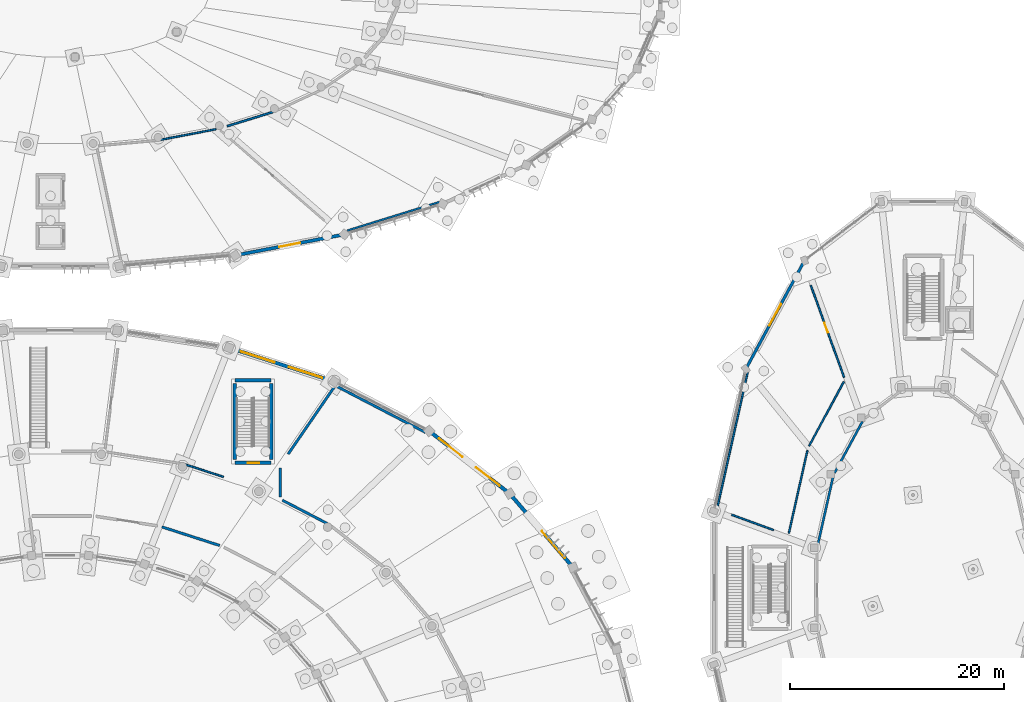
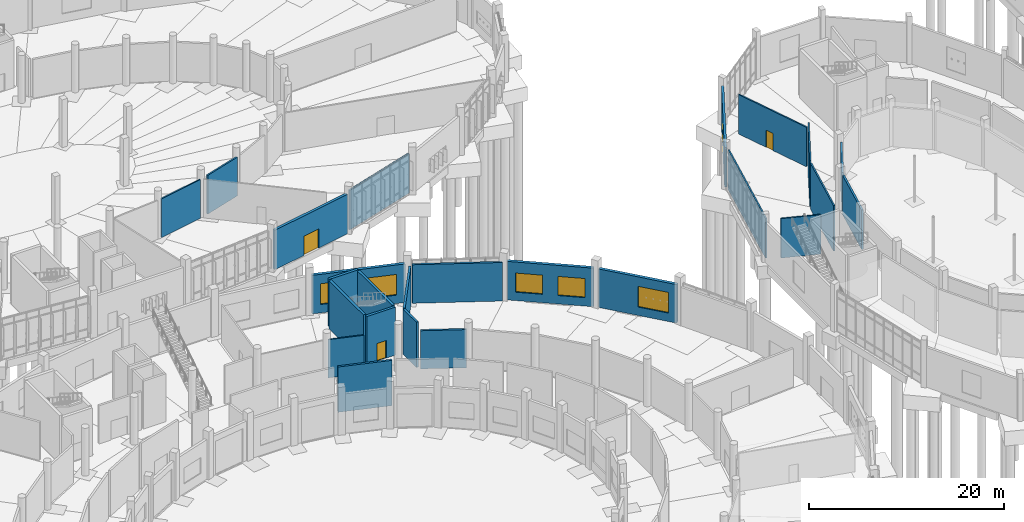
# One storey, part 90 of 140: 25 walls, 6 windows, 3 doors, 9 openings.
"""IFC4 building model written with IfcOpenShell, lengths in metres."""

from ifc_helpers import new_model, si_unit, direction, frame, frame_2d, origin, place, context, subcontext, project, spatial, rectangle, extrude, material, layer, layer_set, type_object, element, fill, save


model = new_model("IFC4")

# Units and contexts
model_context = context("Model", 3, precision=1e-05, world=origin(), true_north=direction((0.0, 1.0)))
body_context = subcontext(model_context, "Body", "Model", "MODEL_VIEW")
ifc_project = project(units=[si_unit("LENGTHUNIT", "METRE"), si_unit("AREAUNIT", "SQUARE_METRE"), si_unit("VOLUMEUNIT", "CUBIC_METRE"), si_unit("PLANEANGLEUNIT", "RADIAN"), si_unit("MASSUNIT", "GRAM", prefix="KILO")], contexts=[model_context])

# Site, building, storey
site_placement = place(None, origin())
site = spatial("IfcSite", under=ifc_project, at=site_placement, CompositionType="ELEMENT")
building_placement = place(site_placement, origin())
building = spatial("IfcBuilding", under=site, at=building_placement, Name="Corvandel Quay Wholesale Market", CompositionType="ELEMENT")
storey_placement = place(building_placement, origin())
storey = spatial("IfcBuildingStorey", under=building, at=storey_placement, Name="L00", CompositionType="ELEMENT", Elevation=0.0)

# Walls
ifc_material_1 = material(Name="Gypsum-clad steel stud framing", Category="steel")
ifc_layer_1 = layer(ifc_material_1, 0.2099609375)
ifc_layer_set_1 = layer_set([ifc_layer_1], Name="Gypsum-clad steel stud framing")
wall_type_1 = type_object("IfcWallType", Name="Corridor Rated Partition PT02 210", PredefinedType="PARTITIONING", material=ifc_layer_set_1)
wall_1_placement = place(storey_placement, frame((184.668212890625, 63.90966796875, 0.0), z_axis=(0.0, 0.0, 1.0), x_axis=(0.218983275202, 0.975728612464, 0.0)))
element("IfcWall", 1, at=wall_1_placement, inside=storey, type_object=wall_type_1, Name="Interior Wall IW-0682", PredefinedType="PARTITIONING", context=body_context, shape_type="SweptSolid", body=[
    extrude(rectangle(XDim=6.546630859375, YDim=0.2099609375, at=frame_2d((3.2734375, 0.0))), origin(), (0.0, 0.0, 1.0), 4.93994140625),
])
wall_2_placement = place(storey_placement, frame((186.2548828125, 70.70556640625, 0.0), z_axis=(0.0, 0.0, 1.0), x_axis=(0.476219723691, 0.879326318705, 0.0)))
element("IfcWall", 2, at=wall_2_placement, inside=storey, type_object=wall_type_1, Name="Interior Wall IW-0683", PredefinedType="PARTITIONING", context=body_context, shape_type="SweptSolid", body=[
    extrude(rectangle(XDim=5.456298828125, YDim=0.2099609375, at=frame_2d((2.72802734375, 0.0))), origin(), (0.0, 0.0, 1.0), 4.93994140625),
])
ifc_material_2 = material(Name="Lightweight concrete blockwork", Category="masonry")
ifc_layer_2 = layer(ifc_material_2, 0.239990234375)
ifc_layer_set_2 = layer_set([ifc_layer_2], Name="Lightweight concrete blockwork")
wall_type_2 = type_object("IfcWallType", Name="Fire Compartment Partition PT01 240", PredefinedType="PARTITIONING", material=ifc_layer_set_2)
wall_3_placement = place(storey_placement, frame((138.914794921875, 65.987548828125, 0.0), z_axis=(0.0, 0.0, 1.0), x_axis=(-0.887267708402, 0.461254825045, 0.0)))
element("IfcWall", 3, at=wall_3_placement, inside=storey, type_object=wall_type_2, Name="Interior Wall IW-0356", PredefinedType="PARTITIONING", context=body_context, shape_type="SweptSolid", body=[
    extrude(rectangle(XDim=4.710693359375, YDim=0.239990234375, at=frame_2d((2.35546875, 0.0))), origin(), (0.0, 0.0, 1.0), 4.780029296875),
])
wall_4_placement = place(storey_placement, frame((134.5400390625, 68.48193359375, 0.0), z_axis=(0.0, 0.0, 1.0), x_axis=(0.0, 1.0, 0.0)))
element("IfcWall", 4, at=wall_4_placement, inside=storey, type_object=wall_type_2, Name="Interior Wall IW-0357", PredefinedType="PARTITIONING", context=body_context, shape_type="SweptSolid", body=[
    extrude(rectangle(XDim=2.692138671875, YDim=0.239990234375, at=frame_2d((1.34619140625, 0.0))), origin(), (0.0, 0.0, 1.0), 5.679931640625),
])
wall_5_placement = place(storey_placement, frame((135.274658203125, 72.462646484375, 0.0), z_axis=(0.0, 0.0, 1.0), x_axis=(0.566458731366, 0.824090107731, 0.0)))
element("IfcWall", 5, at=wall_5_placement, inside=storey, type_object=wall_type_2, Name="Interior Wall IW-0358", PredefinedType="PARTITIONING", context=body_context, shape_type="SweptSolid", body=[
    extrude(rectangle(XDim=7.539306640625, YDim=0.239990234375, at=frame_2d((3.76953125, 0.0))), origin(), (0.0, 0.0, 1.0), 4.780029296875),
])
wall_6_placement = place(storey_placement, frame((139.865234375, 78.755615234375, 0.0), z_axis=(0.0, 0.0, 1.0), x_axis=(0.887320457096, -0.461153343715, 0.0)))
element("IfcWall", 6, at=wall_6_placement, inside=storey, type_object=wall_type_2, Name="Interior Wall IW-0359", PredefinedType="PARTITIONING", context=body_context, shape_type="SweptSolid", body=[
    extrude(rectangle(XDim=9.253173828125, YDim=0.239990234375, at=frame_2d((4.62646484375, 0.0))), origin(), (0.0, 0.0, 1.0), 4.830078125),
])
wall_7_placement = place(storey_placement, frame((123.509521484375, 65.66845703125, 0.0), z_axis=(0.0, 0.0, 1.0), x_axis=(0.951827438235, -0.306634192193, 0.0)))
element("IfcWall", 7, at=wall_7_placement, inside=storey, type_object=wall_type_2, Name="Interior Wall IW-0409", PredefinedType="PARTITIONING", context=body_context, shape_type="SweptSolid", body=[
    extrude(rectangle(XDim=5.6513671875, YDim=0.239990234375, at=frame_2d((2.82568359375, 0.0))), origin(), (0.0, 0.0, 1.0), 5.679931640625),
])

# Wall, opening, door
ifc_material_3 = material(Name="Marine precast concrete C45/55", Category="concrete")
ifc_layer_3 = layer(ifc_material_3, 0.31005859375)
ifc_layer_set_3 = layer_set([ifc_layer_3], Name="Marine precast concrete C45/55")
wall_type_3 = type_object("IfcWallType", Name="Fish Hall Marine Precast Wall EW06 310", PredefinedType="SOLIDWALL", material=ifc_layer_set_3)
wall_8_placement = place(storey_placement, frame((130.57080078125, 91.044189453125, 0.0), z_axis=(0.0, 0.0, 1.0), x_axis=(0.981997121081, 0.188895881873, 0.0)))
wall_8 = element("IfcWall", 8, at=wall_8_placement, inside=storey, type_object=wall_type_3, Name="Exterior Wall EW-0142", PredefinedType="SOLIDWALL", context=body_context, shape_type="SweptSolid", body=[
    extrude(rectangle(XDim=9.897705078125, YDim=0.31005859375, at=frame_2d((4.94873046875, 0.0))), origin(), (0.0, 0.0, 1.0), 4.949951171875),
])
opening_1_placement = place(wall_8_placement, frame((3.948974609375, 0.0, 0.0)))
opening_1 = element("IfcOpeningElement", 9, at=opening_1_placement, cuts=wall_8, Name="Opening L00-D021", PredefinedType="OPENING", context=body_context, shape_type="SweptSolid", body=[
    extrude(rectangle(XDim=2.0, YDim=2.39990234375, at=frame_2d((1.0, 1.199951171875))), frame((0.0, 0.1650390625, 0.0), z_axis=(0.0, -1.0, 0.0), x_axis=(1.0, 0.0, 0.0)), (0.0, 0.0, 1.0), 0.330078125),
])
ifc_material_4 = material(Name="Bronze anodised aluminium and laminated glass", Category="aluminium")
door_type_1 = type_object("IfcDoorType", Name="Concourse Double Exit Door ED02 2000x2400", OperationType="DOUBLE_DOOR_SINGLE_SWING", PredefinedType="DOOR", material=ifc_material_4)
door_1_placement = place(opening_1_placement, origin())
door_1 = element("IfcDoor", 10, at=door_1_placement, inside=storey, type_object=door_type_1, Name="Main Pedestrian Exit V2-25", OperationType="DOUBLE_DOOR_SINGLE_SWING", OverallHeight=2.39990234375, OverallWidth=2.0, PredefinedType="DOOR", context=body_context, shape_type="SweptSolid", body=[
    extrude(rectangle(XDim=2.0, YDim=2.39990234375, at=frame_2d((1.0, 1.199951171875))), frame((0.0, 0.02490234375, 0.0), z_axis=(0.0, -1.0, 0.0), x_axis=(1.0, 0.0, 0.0)), (0.0, 0.0, 1.0), 0.050048828125),
])
fill(opening_1, door_1)

# Walls
ifc_material_5 = material(Name="FRP-faced cementitious board stud wall")
ifc_layer_4 = layer(ifc_material_5, 0.179931640625)
ifc_layer_set_4 = layer_set([ifc_layer_4], Name="FRP-faced cementitious board stud wall")
wall_type_4 = type_object("IfcWallType", Name="Hygienic Washdown Partition PT05 180", PredefinedType="PARTITIONING", material=ifc_layer_set_4)
wall_9_placement = place(storey_placement, frame((129.588134765625, 103.05224609375, 0.0), z_axis=(0.0, 0.0, 1.0), x_axis=(0.955042299082, 0.296469571734, 0.0)))
element("IfcWall", 11, at=wall_9_placement, inside=storey, type_object=wall_type_4, Name="Interior Wall IW-0602", PredefinedType="PARTITIONING", context=body_context, shape_type="SweptSolid", body=[
    extrude(rectangle(XDim=4.474853515625, YDim=0.179931640625, at=frame_2d((2.2373046875, 0.0))), origin(), (0.0, 0.0, 1.0), 4.85009765625),
])
wall_10_placement = place(storey_placement, frame((149.393798828125, 95.981689453125, 0.0), z_axis=(0.0, 0.0, 1.0), x_axis=(-0.955109137229, -0.296254174623, 0.0)))
element("IfcWall", 12, at=wall_10_placement, inside=storey, type_object=wall_type_4, Name="Interior Wall IW-0607", PredefinedType="PARTITIONING", context=body_context, shape_type="SweptSolid", body=[
    extrude(rectangle(XDim=9.000732421875, YDim=0.179931640625, at=frame_2d((4.50048828125, 0.0))), origin(), (0.0, 0.0, 1.0), 4.949951171875),
])

# Wall, opening, window
ifc_material_6 = material(Name="Terracotta precast concrete C45/55", Category="masonry")
ifc_layer_5 = layer(ifc_material_6, 0.260009765625)
ifc_layer_set_5 = layer_set([ifc_layer_5], Name="Terracotta precast concrete C45/55")
wall_type_5 = type_object("IfcWallType", Name="Pavilion Pilaster Infill Wall EW08 260", PredefinedType="SOLIDWALL", material=ifc_layer_set_5)
wall_11_placement = place(storey_placement, frame((183.34912109375, 90.32568359375, 0.0), z_axis=(0.0, 0.0, 1.0), x_axis=(-0.476243387046, -0.87931350285, 0.0)))
wall_11 = element("IfcWall", 13, at=wall_11_placement, inside=storey, type_object=wall_type_5, Name="Exterior Wall EW-0171", PredefinedType="SOLIDWALL", context=body_context, shape_type="SweptSolid", body=[
    extrude(rectangle(XDim=11.0771484375, YDim=0.260009765625, at=frame_2d((5.53857421875, 0.0))), origin(), (0.0, 0.0, 1.0), 4.989990234375),
])
opening_2_placement = place(wall_11_placement, frame((4.388916015625, 0.0, 0.949951171875)))
opening_2 = element("IfcOpeningElement", 14, at=opening_2_placement, cuts=wall_11, Name="Opening L00-W069", PredefinedType="OPENING", context=body_context, shape_type="SweptSolid", body=[
    extrude(rectangle(XDim=2.300048828125, YDim=2.800048828125, at=frame_2d((1.14990234375, 1.39990234375))), frame((0.0, 0.139892578125, 0.0), z_axis=(0.0, -1.0, 0.0), x_axis=(1.0, 0.0, 0.0)), (0.0, 0.0, 1.0), 0.280029296875),
])
ifc_material_7 = material(Name="Thermally broken bronze anodised aluminium and solar-control low-E double glazing", Category="aluminium")
window_type_1 = type_object("IfcWindowType", Name="Auction Hall Tall Facet Window WN11 2300x2800", PartitioningType="SINGLE_PANEL", PredefinedType="WINDOW", material=ifc_material_7)
window_1_placement = place(opening_2_placement, origin())
window_1 = element("IfcWindow", 15, at=window_1_placement, inside=storey, type_object=window_type_1, Name="Window L00-W069", OverallHeight=2.800048828125, OverallWidth=2.300048828125, PartitioningType="SINGLE_PANEL", PredefinedType="WINDOW", context=body_context, shape_type="SweptSolid", body=[
    extrude(rectangle(XDim=2.300048828125, YDim=2.800048828125, at=frame_2d((1.14990234375, 1.39990234375))), frame((0.0, 0.030029296875, 0.0), z_axis=(0.0, -1.0, 0.0), x_axis=(1.0, 0.0, 0.0)), (0.0, 0.0, 1.0), 0.06005859375),
])
fill(opening_2, window_1)

# Walls
ifc_material_8 = material(Name="Moisture-resistant tile-backer partition")
ifc_layer_6 = layer(ifc_material_8, 0.159912109375)
ifc_layer_set_6 = layer_set([ifc_layer_6], Name="Moisture-resistant tile-backer partition")
wall_type_6 = type_object("IfcWallType", Name="Sanitary Tile Partition PT06 160", PredefinedType="PARTITIONING", material=ifc_layer_set_6)
wall_12_placement = place(storey_placement, frame((129.25048828125, 70.33935546875, 0.0), z_axis=(0.0, 0.0, 1.0), x_axis=(-0.951853130874, 0.306554427868, 0.0)))
element("IfcWall", 16, at=wall_12_placement, inside=storey, type_object=wall_type_6, Name="Interior Wall IW-0363", PredefinedType="PARTITIONING", context=body_context, shape_type="SweptSolid", body=[
    extrude(rectangle(XDim=3.739013671875, YDim=0.159912109375, at=frame_2d((1.86962890625, 0.0))), origin(), (0.0, 0.0, 1.0), 4.780029296875),
])
wall_13_placement = place(storey_placement, frame((123.389892578125, 101.782470703125, 0.0), z_axis=(0.0, 0.0, 1.0), x_axis=(0.982037171606, 0.188687555456, 0.0)))
element("IfcWall", 17, at=wall_13_placement, inside=storey, type_object=wall_type_6, Name="Interior Wall IW-0598", PredefinedType="PARTITIONING", context=body_context, shape_type="SweptSolid", body=[
    extrude(rectangle(XDim=5.268798828125, YDim=0.159912109375, at=frame_2d((2.63427734375, 0.0))), origin(), (0.0, 0.0, 1.0), 4.85009765625),
])
wall_14_placement = place(storey_placement, frame((175.328125, 67.52880859375, 0.0), z_axis=(0.0, 0.0, 1.0), x_axis=(0.218979767528, 0.975729399687, 0.0)))
element("IfcWall", 18, at=wall_14_placement, inside=storey, type_object=wall_type_6, Name="Interior Wall IW-0696", PredefinedType="PARTITIONING", context=body_context, shape_type="SweptSolid", body=[
    extrude(rectangle(XDim=12.8759765625, YDim=0.159912109375, at=frame_2d((6.43798828125, 0.0))), origin(), (0.0, 0.0, 1.0), 4.989990234375),
])

# Wall, opening, door
wall_15_placement = place(storey_placement, frame((184.0361328125, 88.2041015625, 0.0), z_axis=(0.0, 0.0, 1.0), x_axis=(0.340331120572, -0.940305656885, 0.0)))
wall_15 = element("IfcWall", 19, at=wall_15_placement, inside=storey, type_object=wall_type_6, Name="Interior Wall IW-0697", PredefinedType="PARTITIONING", context=body_context, shape_type="SweptSolid", body=[
    extrude(rectangle(XDim=9.1376953125, YDim=0.159912109375, at=frame_2d((4.56884765625, 0.0))), origin(), (0.0, 0.0, 1.0), 4.93994140625),
])
opening_3_placement = place(wall_15_placement, frame((3.718994140625, 0.0, 0.0)))
opening_3 = element("IfcOpeningElement", 20, at=opening_3_placement, cuts=wall_15, Name="Opening L00-D107", PredefinedType="OPENING", context=body_context, shape_type="SweptSolid", body=[
    extrude(rectangle(XDim=0.949951171875, YDim=2.14990234375, at=frame_2d((0.47509765625, 1.074951171875))), frame((0.0, 0.08984375, 0.0), z_axis=(0.0, -1.0, 0.0), x_axis=(1.0, 0.0, 0.0)), (0.0, 0.0, 1.0), 0.179931640625),
])
ifc_material_9 = material(Name="Moisture-resistant HPL solid core")
door_type_2 = type_object("IfcDoorType", Name="Accessible Restroom Door ID14 950x2150R", OperationType="SINGLE_SWING_RIGHT", PredefinedType="DOOR", material=ifc_material_9)
door_2_placement = place(opening_3_placement, origin())
door_2 = element("IfcDoor", 21, at=door_2_placement, inside=storey, type_object=door_type_2, Name="Public Accessible Toilet and Restroom V3 Door", OperationType="SINGLE_SWING_RIGHT", OverallHeight=2.14990234375, OverallWidth=0.949951171875, PredefinedType="DOOR", context=body_context, shape_type="SweptSolid", body=[
    extrude(rectangle(XDim=0.949951171875, YDim=2.14990234375, at=frame_2d((0.47509765625, 1.074951171875))), frame((0.0, 0.02490234375, 0.0), z_axis=(0.0, -1.0, 0.0), x_axis=(1.0, 0.0, 0.0)), (0.0, 0.0, 1.0), 0.050048828125),
])
fill(opening_3, door_2)

# Walls
wall_16_placement = place(storey_placement, frame((187.1162109375, 79.21142578125, 0.0), z_axis=(0.0, 0.0, 1.0), x_axis=(-0.475826771509, -0.87953901762, 0.0)))
element("IfcWall", 22, at=wall_16_placement, inside=storey, type_object=wall_type_6, Name="Interior Wall IW-0698", PredefinedType="PARTITIONING", context=body_context, shape_type="SweptSolid", body=[
    extrude(rectangle(XDim=6.80810546875, YDim=0.159912109375, at=frame_2d((3.404052734375, 0.0))), origin(), (0.0, 0.0, 1.0), 5.739990234375),
])
wall_17_placement = place(storey_placement, frame((183.723876953125, 72.815185546875, 0.0), z_axis=(0.0, 0.0, 1.0), x_axis=(-0.219151477766, -0.975690847448, 0.0)))
element("IfcWall", 23, at=wall_17_placement, inside=storey, type_object=wall_type_6, Name="Interior Wall IW-0699", PredefinedType="PARTITIONING", context=body_context, shape_type="SweptSolid", body=[
    extrude(rectangle(XDim=7.924072265625, YDim=0.159912109375, at=frame_2d((3.9619140625, 0.0))), origin(), (0.0, 0.0, 1.0), 5.739990234375),
])
wall_18_placement = place(storey_placement, frame((180.55859375, 65.375732421875, 0.0), z_axis=(0.0, 0.0, 1.0), x_axis=(-0.93871359079, 0.344698120775, 0.0)))
element("IfcWall", 24, at=wall_18_placement, inside=storey, type_object=wall_type_6, Name="Interior Wall IW-0700", PredefinedType="PARTITIONING", context=body_context, shape_type="SweptSolid", body=[
    extrude(rectangle(XDim=4.15673828125, YDim=0.159912109375, at=frame_2d((2.078369140625, 0.0))), origin(), (0.0, 0.0, 1.0), 4.93994140625),
])

# Wall, opening, door
ifc_material_10 = material(Name="Concrete C40/50", Category="concrete")
ifc_layer_7 = layer(ifc_material_10, 0.300048828125)
ifc_layer_set_7 = layer_set([ifc_layer_7], Name="Concrete C40/50")
wall_type_7 = type_object("IfcWallType", Name="Stair Shaft Shear Wall SW02 300", PredefinedType="SHEAR", material=ifc_layer_set_7)
wall_19_placement = place(storey_placement, frame((130.300048828125, 71.64990234375, 0.0), z_axis=(0.0, 0.0, 1.0), x_axis=(1.0, 0.0, 0.0)))
wall_19 = element("IfcWall", 25, at=wall_19_placement, inside=storey, type_object=wall_type_7, Name="Shear Wall IW-0013", PredefinedType="SHEAR", context=body_context, shape_type="SweptSolid", body=[
    extrude(rectangle(XDim=3.39990234375, YDim=0.300048828125, at=frame_2d((1.699951171875, 0.0))), origin(), (0.0, 0.0, 1.0), 6.0),
])
opening_4_placement = place(wall_19_placement, frame((1.199951171875, 0.0, 0.0)))
opening_4 = element("IfcOpeningElement", 26, at=opening_4_placement, cuts=wall_19, Name="Opening L00-D057", PredefinedType="OPENING", context=body_context, shape_type="SweptSolid", body=[
    extrude(rectangle(XDim=1.10009765625, YDim=2.199951171875, at=frame_2d((0.550048828125, 1.10009765625))), frame((0.0, 0.159912109375, 0.0), z_axis=(0.0, -1.0, 0.0), x_axis=(1.0, 0.0, 0.0)), (0.0, 0.0, 1.0), 0.320068359375),
])
ifc_material_11 = material(Name="Galvanised fire-rated hollow steel", Category="steel")
door_type_3 = type_object("IfcDoorType", Name="Exit Stair Fire Door ID02 1100x2200R", OperationType="SINGLE_SWING_RIGHT", PredefinedType="DOOR", material=ifc_material_11)
door_3_placement = place(opening_4_placement, origin())
door_3 = element("IfcDoor", 27, at=door_3_placement, inside=storey, type_object=door_type_3, Name="Exit Stair Door SH02-L00", OperationType="SINGLE_SWING_RIGHT", OverallHeight=2.199951171875, OverallWidth=1.10009765625, PredefinedType="DOOR", context=body_context, shape_type="SweptSolid", body=[
    extrude(rectangle(XDim=1.10009765625, YDim=2.199951171875, at=frame_2d((0.550048828125, 1.10009765625))), frame((0.0, 0.02490234375, 0.0), z_axis=(0.0, -1.0, 0.0), x_axis=(1.0, 0.0, 0.0)), (0.0, 0.0, 1.0), 0.050048828125),
])
fill(opening_4, door_3)

# Walls
wall_20_placement = place(storey_placement, frame((130.300048828125, 79.35009765625, 0.0), z_axis=(0.0, 0.0, 1.0), x_axis=(1.0, 0.0, 0.0)))
element("IfcWall", 28, at=wall_20_placement, inside=storey, type_object=wall_type_7, Name="Shear Wall IW-0014", PredefinedType="SHEAR", context=body_context, shape_type="SweptSolid", body=[
    extrude(rectangle(XDim=3.39990234375, YDim=0.300048828125, at=frame_2d((1.699951171875, 0.0))), origin(), (0.0, 0.0, 1.0), 6.0),
])
for number, where, z_axis, x_axis, name in (
    (29, (130.300048828125, 71.93994140625, 0.0), (0.0, 0.0, 1.0), (0.0, 1.0, 0.0), "Shear Wall IW-0015"),
    (30, (133.699951171875, 71.93994140625, 0.0), (0.0, 0.0, 1.0), (0.0, 1.0, 0.0), "Shear Wall IW-0016"),
):
    element("IfcWall", number, at=place(storey_placement, frame(where, z_axis=z_axis, x_axis=x_axis)), inside=storey, type_object=wall_type_7, Name=name, PredefinedType="SHEAR", context=body_context, shape_type="SweptSolid", body=[
        extrude(rectangle(XDim=7.1201171875, YDim=0.300048828125, at=frame_2d((3.56005859375, 0.0))), origin(), (0.0, 0.0, 1.0), 6.0),
    ])

# Wall, opening, window
ifc_layer_8 = layer(ifc_material_6, 0.340087890625)
ifc_layer_set_8 = layer_set([ifc_layer_8], Name="Terracotta precast concrete C45/55")
wall_type_8 = type_object("IfcWallType", Name="Terracotta Ribbed Precast Wall EW01 340", PredefinedType="SOLIDWALL", material=ifc_layer_set_8)
wall_21_placement = place(storey_placement, frame((161.677978515625, 62.098876953125, 0.0), z_axis=(0.0, 0.0, 1.0), x_axis=(-0.651606697641, 0.758556992974, 0.0)))
wall_21 = element("IfcWall", 31, at=wall_21_placement, inside=storey, type_object=wall_type_8, Name="Exterior Wall EW-0006", PredefinedType="SOLIDWALL", context=body_context, shape_type="SweptSolid", body=[
    extrude(rectangle(XDim=8.5283203125, YDim=0.340087890625, at=frame_2d((4.26416015625, 0.0))), origin(), (0.0, 0.0, 1.0), 4.830078125),
])
opening_5_placement = place(wall_21_placement, frame((0.89990234375, 0.0, 1.050048828125)))
opening_5 = element("IfcOpeningElement", 32, at=opening_5_placement, cuts=wall_21, Name="Opening L00-W003", PredefinedType="OPENING", context=body_context, shape_type="SweptSolid", body=[
    extrude(rectangle(XDim=3.300048828125, YDim=2.60009765625, at=frame_2d((1.64990234375, 1.300048828125))), frame((0.0, 0.179931640625, 0.0), z_axis=(0.0, -1.0, 0.0), x_axis=(1.0, 0.0, 0.0)), (0.0, 0.0, 1.0), 0.360107421875),
])
window_type_2 = type_object("IfcWindowType", Name="South Promenade Display Window WN26 3300x2600", PartitioningType="SINGLE_PANEL", PredefinedType="WINDOW", material=ifc_material_7)
window_2_placement = place(opening_5_placement, origin())
window_2 = element("IfcWindow", 33, at=window_2_placement, inside=storey, type_object=window_type_2, Name="Window L00-W003", OverallHeight=2.60009765625, OverallWidth=3.300048828125, PartitioningType="SINGLE_PANEL", PredefinedType="WINDOW", context=body_context, shape_type="SweptSolid", body=[
    extrude(rectangle(XDim=3.300048828125, YDim=2.60009765625, at=frame_2d((1.64990234375, 1.300048828125))), frame((0.0, 0.030029296875, 0.0), z_axis=(0.0, -1.0, 0.0), x_axis=(1.0, 0.0, 0.0)), (0.0, 0.0, 1.0), 0.06005859375),
])
fill(opening_5, window_2)

# Wall, openings, windows
wall_22_placement = place(storey_placement, frame((155.73193359375, 68.938720703125, 0.0), z_axis=(0.0, 0.0, 1.0), x_axis=(-0.789327357341, 0.613972575082, 0.0)))
wall_22 = element("IfcWall", 34, at=wall_22_placement, inside=storey, type_object=wall_type_8, Name="Exterior Wall EW-0009", PredefinedType="SOLIDWALL", context=body_context, shape_type="SweptSolid", body=[
    extrude(rectangle(XDim=8.98974609375, YDim=0.340087890625, at=frame_2d((4.494873046875, 0.0))), origin(), (0.0, 0.0, 1.0), 4.830078125),
])
opening_6_placement = place(wall_22_placement, frame((0.89990234375, 0.0, 1.050048828125)))
opening_6 = element("IfcOpeningElement", 35, at=opening_6_placement, cuts=wall_22, Name="Opening L00-W005", PredefinedType="OPENING", context=body_context, shape_type="SweptSolid", body=[
    extrude(rectangle(XDim=2.800048828125, YDim=2.39990234375, at=frame_2d((1.39990234375, 1.199951171875))), frame((0.0, 0.179931640625, 0.0), z_axis=(0.0, -1.0, 0.0), x_axis=(1.0, 0.0, 0.0)), (0.0, 0.0, 1.0), 0.360107421875),
])
opening_7_placement = place(wall_22_placement, frame((5.2900390625, 0.0, 1.050048828125)))
opening_7 = element("IfcOpeningElement", 36, at=opening_7_placement, cuts=wall_22, Name="Opening L00-W006", PredefinedType="OPENING", context=body_context, shape_type="SweptSolid", body=[
    extrude(rectangle(XDim=2.800048828125, YDim=2.39990234375, at=frame_2d((1.39990234375, 1.199951171875))), frame((0.0, 0.179931640625, 0.0), z_axis=(0.0, -1.0, 0.0), x_axis=(1.0, 0.0, 0.0)), (0.0, 0.0, 1.0), 0.360107421875),
])
window_type_3 = type_object("IfcWindowType", Name="Produce Hall Arched Ribbon Window WN01 2800x2400", PartitioningType="SINGLE_PANEL", PredefinedType="WINDOW", material=ifc_material_7)
window_3_placement = place(opening_6_placement, origin())
window_3 = element("IfcWindow", 37, at=window_3_placement, inside=storey, type_object=window_type_3, Name="Window L00-W005", OverallHeight=2.39990234375, OverallWidth=2.800048828125, PartitioningType="SINGLE_PANEL", PredefinedType="WINDOW", context=body_context, shape_type="SweptSolid", body=[
    extrude(rectangle(XDim=2.800048828125, YDim=2.39990234375, at=frame_2d((1.39990234375, 1.199951171875))), frame((0.0, 0.030029296875, 0.0), z_axis=(0.0, -1.0, 0.0), x_axis=(1.0, 0.0, 0.0)), (0.0, 0.0, 1.0), 0.06005859375),
])
fill(opening_6, window_3)
window_4_placement = place(opening_7_placement, origin())
window_4 = element("IfcWindow", 38, at=window_4_placement, inside=storey, type_object=window_type_3, Name="Window L00-W006", OverallHeight=2.39990234375, OverallWidth=2.800048828125, PartitioningType="SINGLE_PANEL", PredefinedType="WINDOW", context=body_context, shape_type="SweptSolid", body=[
    extrude(rectangle(XDim=2.800048828125, YDim=2.39990234375, at=frame_2d((1.39990234375, 1.199951171875))), frame((0.0, 0.030029296875, 0.0), z_axis=(0.0, -1.0, 0.0), x_axis=(1.0, 0.0, 0.0)), (0.0, 0.0, 1.0), 0.06005859375),
])
fill(opening_7, window_4)

wall_23_placement = place(storey_placement, frame((139.322021484375, 79.302734375, 0.0), z_axis=(0.0, 0.0, 1.0), x_axis=(-0.95182847269, 0.30663098111, 0.0)))
wall_23 = element("IfcWall", 39, at=wall_23_placement, inside=storey, type_object=wall_type_8, Name="Exterior Wall EW-0014", PredefinedType="SOLIDWALL", context=body_context, shape_type="SweptSolid", body=[
    extrude(rectangle(XDim=9.785400390625, YDim=0.340087890625, at=frame_2d((4.892578125, 0.0))), origin(), (0.0, 0.0, 1.0), 4.830078125),
])
opening_8_placement = place(wall_23_placement, frame((0.89990234375, 0.0, 1.050048828125)))
opening_8 = element("IfcOpeningElement", 40, at=opening_8_placement, cuts=wall_23, Name="Opening L00-W008", PredefinedType="OPENING", context=body_context, shape_type="SweptSolid", body=[
    extrude(rectangle(XDim=3.300048828125, YDim=2.60009765625, at=frame_2d((1.64990234375, 1.300048828125))), frame((0.0, 0.179931640625, 0.0), z_axis=(0.0, -1.0, 0.0), x_axis=(1.0, 0.0, 0.0)), (0.0, 0.0, 1.0), 0.360107421875),
])
opening_9_placement = place(wall_23_placement, frame((5.5849609375, 0.0, 1.050048828125)))
opening_9 = element("IfcOpeningElement", 41, at=opening_9_placement, cuts=wall_23, Name="Opening L00-W009", PredefinedType="OPENING", context=body_context, shape_type="SweptSolid", body=[
    extrude(rectangle(XDim=3.300048828125, YDim=2.60009765625, at=frame_2d((1.64990234375, 1.300048828125))), frame((0.0, 0.179931640625, 0.0), z_axis=(0.0, -1.0, 0.0), x_axis=(1.0, 0.0, 0.0)), (0.0, 0.0, 1.0), 0.360107421875),
])
window_5_placement = place(opening_8_placement, origin())
window_5 = element("IfcWindow", 42, at=window_5_placement, inside=storey, type_object=window_type_2, Name="Window L00-W008", OverallHeight=2.60009765625, OverallWidth=3.300048828125, PartitioningType="SINGLE_PANEL", PredefinedType="WINDOW", context=body_context, shape_type="SweptSolid", body=[
    extrude(rectangle(XDim=3.300048828125, YDim=2.60009765625, at=frame_2d((1.64990234375, 1.300048828125))), frame((0.0, 0.030029296875, 0.0), z_axis=(0.0, -1.0, 0.0), x_axis=(1.0, 0.0, 0.0)), (0.0, 0.0, 1.0), 0.06005859375),
])
fill(opening_8, window_5)
window_6_placement = place(opening_9_placement, origin())
window_6 = element("IfcWindow", 43, at=window_6_placement, inside=storey, type_object=window_type_2, Name="Window L00-W009", OverallHeight=2.60009765625, OverallWidth=3.300048828125, PartitioningType="SINGLE_PANEL", PredefinedType="WINDOW", context=body_context, shape_type="SweptSolid", body=[
    extrude(rectangle(XDim=3.300048828125, YDim=2.60009765625, at=frame_2d((1.64990234375, 1.300048828125))), frame((0.0, 0.030029296875, 0.0), z_axis=(0.0, -1.0, 0.0), x_axis=(1.0, 0.0, 0.0)), (0.0, 0.0, 1.0), 0.06005859375),
])
fill(opening_9, window_6)

save(model, "model.ifc")
